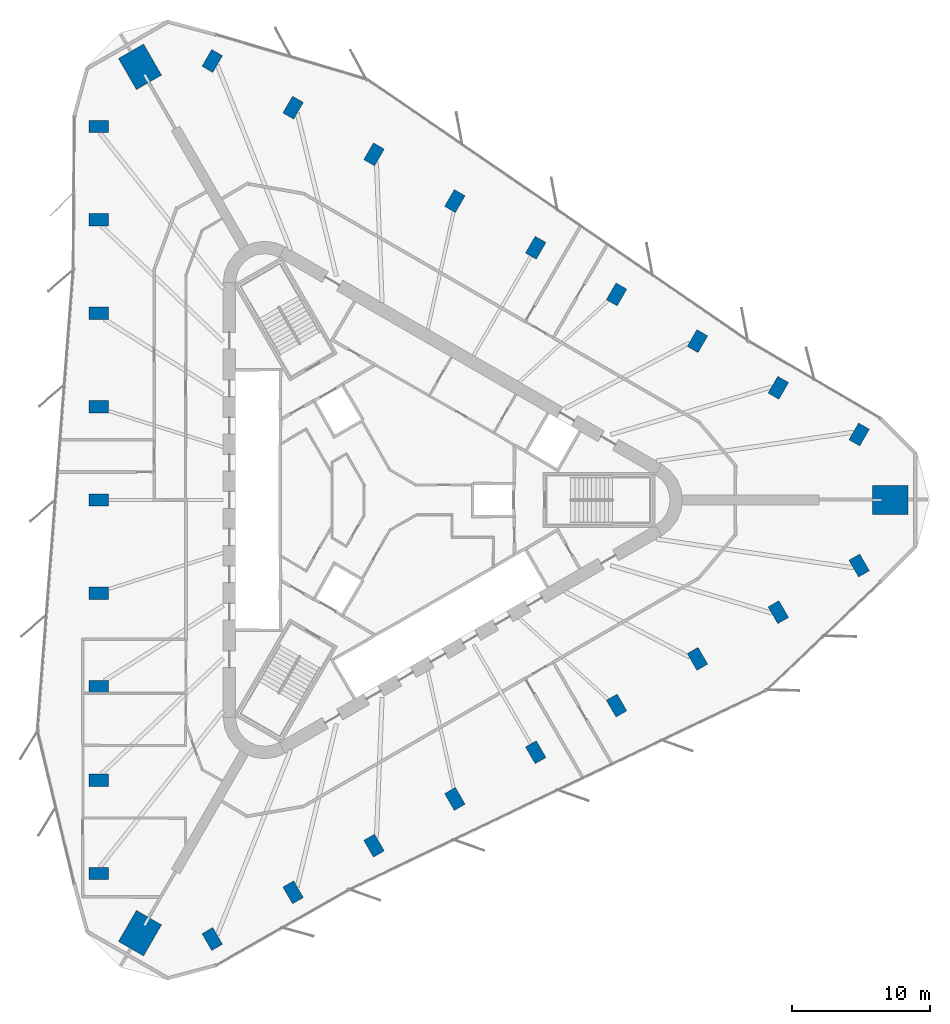
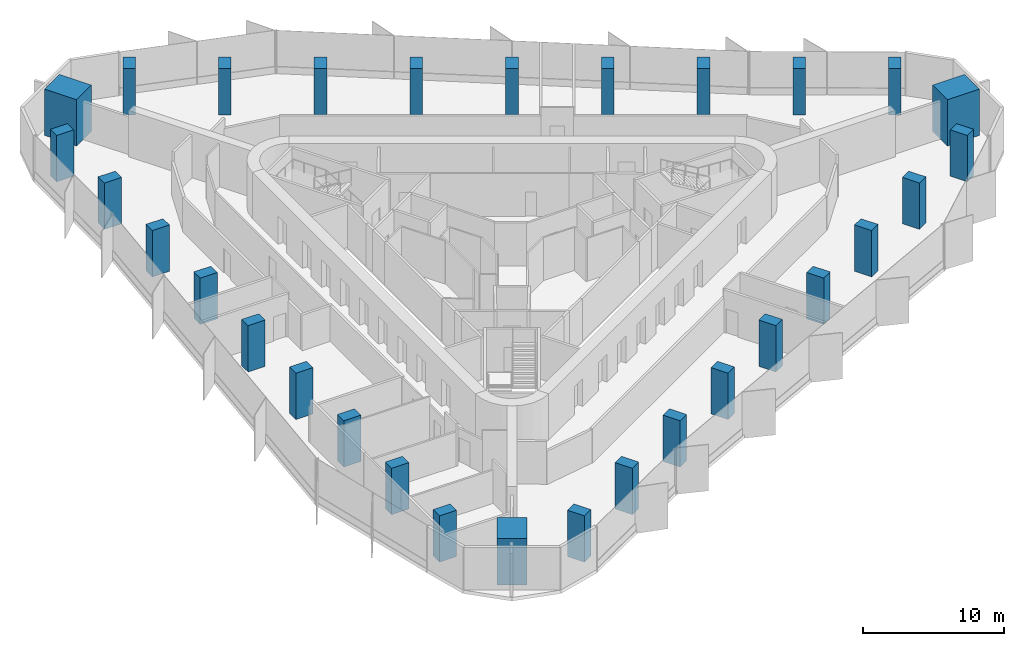
# One storey, part 1 of 13: 30 columns.
"""IFC4 building model written with IfcOpenShell, lengths in metres."""

import ifcopenshell
import ifcopenshell.guid

model = None  # the IFC model being written
_history = None  # IfcOwnerHistory: only IFC2X3 demands one
_inside = {}  # id of a spatial element -> (the spatial element, [elements in it])
_under = {}  # id of a project, library or spatial element -> (it, [spatial elements below it])
_declared = {}  # id of a project -> (the project, [libraries it declares])
_typed = {}  # id of a type object -> (the type object, [elements of that type])
_made_of = {}  # id of a material, layer set ... -> (it, [elements and type objects made of it])


def new_model(schema):
    """Start an empty IFC model of exactly this schema.

    Asked for "IFC4X3", IfcOpenShell would pick the latest addendum, in which some entities
    have other attributes; the version numbers below select the first issue.
    IFC2X3 requires an IfcOwnerHistory on every rooted entity: one is made here for all.
    """
    global model, _history
    if schema == "IFC4X3":
        model = ifcopenshell.file(schema_version=(4, 3, 0, 0))
    else:
        model = ifcopenshell.file(schema=schema)
    _inside.clear()
    _under.clear()
    _declared.clear()
    _typed.clear()
    _made_of.clear()
    _history = None
    if model.schema == "IFC2X3":
        org = make("IfcOrganization", Name="unknown")
        user = make(
            "IfcPersonAndOrganization",
            ThePerson=make("IfcPerson", FamilyName="unknown"),
            TheOrganization=org,
        )
        app = make(
            "IfcApplication",
            ApplicationDeveloper=org,
            Version="unknown",
            ApplicationFullName="unknown",
            ApplicationIdentifier="unknown",
        )
        _history = make(
            "IfcOwnerHistory",
            OwningUser=user,
            OwningApplication=app,
            ChangeAction="ADDED",
            CreationDate=0,
        )
    return model


def make(cls, **values):
    """One entity of the class cls with the attributes given. An attribute that is None is left unset."""
    return model.create_entity(
        cls, **{name: value for name, value in values.items() if value is not None}
    )


def rooted(cls, **values):
    """An entity with a GlobalId (a new one), such as an element, a storey or a relation."""
    return make(cls, GlobalId=ifcopenshell.guid.new(), OwnerHistory=_history, **values)


def si_unit(unit_type, name, prefix=None):
    """IfcSIUnit, for example si_unit("LENGTHUNIT", "METRE", prefix="MILLI")."""
    return make("IfcSIUnit", UnitType=unit_type, Prefix=prefix, Name=name)


def assignment(units):
    """IfcUnitAssignment: the units of a project."""
    return None if units is None else make("IfcUnitAssignment", Units=units)


def point(xyz):
    """IfcCartesianPoint."""
    return None if xyz is None else make("IfcCartesianPoint", Coordinates=xyz)


def direction(xyz):
    """IfcDirection."""
    return None if xyz is None else make("IfcDirection", DirectionRatios=xyz)


def frame(location, z_axis=None, x_axis=None):
    """IfcAxis2Placement3D, a coordinate frame: its origin and axes. An axis left out is left unset."""
    return make(
        "IfcAxis2Placement3D",
        Location=point(location),
        Axis=direction(z_axis),
        RefDirection=direction(x_axis),
    )


def frame_2d(location, x_axis=None):
    """IfcAxis2Placement2D, a coordinate frame in the plane: its origin and x axis."""
    return make(
        "IfcAxis2Placement2D", Location=point(location), RefDirection=direction(x_axis)
    )


def origin():
    """The frame at (0, 0, 0) with its axes left unset."""
    return frame((0.0, 0.0, 0.0))


def origin_2d():
    """The frame at (0, 0) in the plane with its x axis left unset."""
    return frame_2d((0.0, 0.0))


def place(relative_to, where):
    """IfcLocalPlacement: puts the frame where relative to a parent placement (None: the world)."""
    return make(
        "IfcLocalPlacement", PlacementRelTo=relative_to, RelativePlacement=where
    )


def context(
    kind, dimensions, precision=None, world=None, true_north=None, identifier=None
):
    """IfcGeometricRepresentationContext, for example the 3D "Model" context."""
    return make(
        "IfcGeometricRepresentationContext",
        ContextIdentifier=identifier,
        ContextType=kind,
        CoordinateSpaceDimension=dimensions,
        Precision=precision,
        WorldCoordinateSystem=world,
        TrueNorth=true_north,
    )


def subcontext(parent, identifier, kind, view, scale=None):
    """IfcGeometricRepresentationSubContext, for example "Body" below "Model"."""
    return make(
        "IfcGeometricRepresentationSubContext",
        ContextIdentifier=identifier,
        ContextType=kind,
        ParentContext=parent,
        TargetScale=scale,
        TargetView=view,
    )


def project(units=None, contexts=None):
    """IfcProject with its units and contexts."""
    return rooted(
        "IfcProject",
        Name="project",
        RepresentationContexts=contexts,
        UnitsInContext=assignment(units),
    )


def spatial(cls, under=None, at=None, **own):
    """A site, building, storey or space (cls), placed at a placement, below another one or the project."""
    s = rooted(cls, ObjectPlacement=at, **own)
    if under is not None:
        _under.setdefault(under.id(), (under, []))[1].append(s)
    return s


def profile(cls, at=None, kind="AREA", **sizes):
    """A parametric profile (cls). Its sizes go by their IFC names, for example OverallWidth=200.0."""
    return make(cls, ProfileType=kind, Position=at, **sizes)


def rectangle(**sizes):
    """IfcRectangleProfileDef."""
    return profile("IfcRectangleProfileDef", **sizes)


def extrude(swept, where, along, depth):
    """IfcExtrudedAreaSolid: the profile swept, set in the frame where, extruded along a direction by depth."""
    return make(
        "IfcExtrudedAreaSolid",
        SweptArea=swept,
        Position=where,
        ExtrudedDirection=direction(along),
        Depth=depth,
    )


def shape(context_of_items, identifier, shape_type, items):
    """IfcShapeRepresentation: the items that make up one representation, for example the "Body"."""
    return make(
        "IfcShapeRepresentation",
        ContextOfItems=context_of_items,
        RepresentationIdentifier=identifier,
        RepresentationType=shape_type,
        Items=items,
    )


def material(Name=None, Category=None):
    """IfcMaterial."""
    return make("IfcMaterial", Name=Name, Category=Category)


def material_profile(
    of_material, cross_section, Name=None, Category=None, Priority=None
):
    """IfcMaterialProfile: a cross section and its material."""
    return make(
        "IfcMaterialProfile",
        Name=Name,
        Material=of_material,
        Profile=cross_section,
        Priority=Priority,
        Category=Category,
    )


def profile_set(profiles, Name=None, composite=None):
    """IfcMaterialProfileSet."""
    return make(
        "IfcMaterialProfileSet",
        Name=Name,
        MaterialProfiles=profiles,
        CompositeProfile=composite,
    )


def made_of(thing, what):
    """Note that an element or type object is made of a material, layer set ...; save() writes the relation."""
    if what is not None:
        _made_of.setdefault(what.id(), (what, []))[1].append(thing)
    return thing


def type_object(cls, material=None, **own):
    """A type object (cls), such as IfcWallType, which elements share."""
    return made_of(rooted(cls, **own), material)


def element(
    cls,
    number,
    at=None,
    inside=None,
    cuts=None,
    type_object=None,
    material=None,
    context=None,
    identifier="Body",
    shape_type=None,
    held_by="IfcProductDefinitionShape",
    body=None,
    shapes=None,
    **own,
):
    """One element of the class cls, such as IfcWall. Its Tag is "e" and its number.

    at: its placement. inside: the storey or other place that contains it. cuts: it is an
    opening in that element (IfcRelVoidsElement). A single representation is given by context,
    identifier, shape_type and body (its items); several are given by shapes. held_by: the class
    of the entity that holds the representations. save() writes the other relations.
    """
    e = rooted(cls, Tag="e%d" % number, ObjectPlacement=at, **own)
    if body is not None:
        shapes = [shape(context, identifier, shape_type, body)]
    if shapes is not None:
        e.Representation = make(held_by, Representations=shapes)
    if inside is not None:
        _inside.setdefault(inside.id(), (inside, []))[1].append(e)
    if cuts is not None:
        rooted(
            "IfcRelVoidsElement", RelatingBuildingElement=cuts, RelatedOpeningElement=e
        )
    if type_object is not None:
        _typed.setdefault(type_object.id(), (type_object, []))[1].append(e)
    return made_of(e, material)


def aggregate(whole, parts):
    """IfcRelAggregates: a whole, such as a stair, and the parts it consists of."""
    return rooted("IfcRelAggregates", RelatingObject=whole, RelatedObjects=parts)


def save(model, path):
    """Write the relations noted so far, then the file.

    IfcRelAggregates (storeys below a building ...), IfcRelContainedInSpatialStructure (elements
    in a storey), IfcRelDefinesByType, IfcRelAssociatesMaterial and IfcRelDeclares: one each for
    every whole, place, type object, material and project.
    """
    for whole, parts in _under.values():
        aggregate(whole, parts)
    for where, things in _inside.values():
        rooted(
            "IfcRelContainedInSpatialStructure",
            RelatedElements=things,
            RelatingStructure=where,
        )
    for kind, things in _typed.values():
        rooted("IfcRelDefinesByType", RelatedObjects=things, RelatingType=kind)
    for what, things in _made_of.values():
        rooted("IfcRelAssociatesMaterial", RelatedObjects=things, RelatingMaterial=what)
    for by, libraries in _declared.values():
        rooted("IfcRelDeclares", RelatingContext=by, RelatedDefinitions=libraries)
    model.write(path)


model = new_model("IFC4")

# Units and contexts
model_context = context("Model", 3, precision=1e-05, world=origin(), true_north=direction((0.0, 1.0)))
body_context = subcontext(model_context, "Body", "Model", "MODEL_VIEW")
ifc_project = project(units=[si_unit("LENGTHUNIT", "METRE"), si_unit("AREAUNIT", "SQUARE_METRE"), si_unit("VOLUMEUNIT", "CUBIC_METRE"), si_unit("PLANEANGLEUNIT", "RADIAN"), si_unit("MASSUNIT", "GRAM", prefix="KILO")], contexts=[model_context])

# Site, building, storey
site_placement = place(None, origin())
site = spatial("IfcSite", under=ifc_project, at=site_placement, CompositionType="ELEMENT")
building_placement = place(site_placement, origin())
building = spatial("IfcBuilding", under=site, at=building_placement, Name="Tanit Gate Tower", CompositionType="ELEMENT")
storey_placement = place(building_placement, frame((0.0, 0.0, 265.199951171875)))
storey = spatial("IfcBuildingStorey", under=building, at=storey_placement, Name="L60", CompositionType="ELEMENT", Elevation=265.199951171875)

# Columns
ifc_material_1 = material(Name="Concrete C60/75", Category="concrete")
ifc_material_profile_1 = material_profile(ifc_material_1, rectangle(XDim=2.60009765625, YDim=2.10009765625, at=origin_2d()), Name="RC 2600x2100")
ifc_profile_set_1 = profile_set([ifc_material_profile_1], Name="Concrete C60/75")
column_type_1 = type_object("IfcColumnType", Name="MEGA COLUMN 2600x2100 C60/75", PredefinedType="COLUMN", material=ifc_profile_set_1)
for number, where, z_axis, x_axis, name in (
    (1, (36.270263671875, 0.0, 0.0), (0.0, 0.0, 1.0), (1.0, 0.0, 0.0), "MEGA COLUMN"),
    (2, (-18.135009765625, 31.410888671875, 0.0), (0.0, 0.0, 1.0), (-0.5, 0.866025403784, 0.0), "MEGA COLUMN"),
    (3, (-18.135009765625, -31.410888671875, 0.0), (0.0, 0.0, 1.0), (-0.5, -0.866025403784, 0.0), "MEGA COLUMN"),
):
    element("IfcColumn", number, at=place(storey_placement, frame(where, z_axis=z_axis, x_axis=x_axis)), inside=storey, type_object=column_type_1, Name=name, PredefinedType="COLUMN", context=body_context, shape_type="SweptSolid", body=[
        extrude(rectangle(XDim=2.60009765625, YDim=2.10009765625, at=origin_2d()), origin(), (0.0, 0.0, 1.0), 4.0),
    ])
ifc_material_2 = material(Name="Concrete C50/60", Category="concrete")
ifc_material_profile_2 = material_profile(ifc_material_2, rectangle(XDim=1.39990234375, YDim=0.89990234375, at=origin_2d()), Name="RC 1400x900")
ifc_profile_set_2 = profile_set([ifc_material_profile_2], Name="Concrete C50/60")
column_type_2 = type_object("IfcColumnType", Name="PERIMETER COLUMN 1400x900 C50/60", PredefinedType="COLUMN", material=ifc_profile_set_2)
for number, where, z_axis, x_axis, name in (
    (4, (-21.121337890625, 27.083984375, 0.0), (0.0, 0.0, 1.0), (-1.0, 0.0, 0.0), "PERIMETER COLUMN"),
    (5, (-21.121337890625, 20.31298828125, 0.0), (0.0, 0.0, 1.0), (-1.0, 0.0, 0.0), "PERIMETER COLUMN"),
    (6, (-21.121337890625, 13.5419921875, 0.0), (0.0, 0.0, 1.0), (-1.0, 0.0, 0.0), "PERIMETER COLUMN"),
    (7, (-21.121337890625, 6.77099609375, 0.0), (0.0, 0.0, 1.0), (-1.0, 0.0, 0.0), "PERIMETER COLUMN"),
    (8, (-21.121337890625, 0.0, 0.0), (0.0, 0.0, 1.0), (-1.0, 0.0, 0.0), "PERIMETER COLUMN"),
    (9, (-21.121337890625, -6.77099609375, 0.0), (0.0, 0.0, 1.0), (-1.0, 0.0, 0.0), "PERIMETER COLUMN"),
    (10, (-21.121337890625, -13.5419921875, 0.0), (0.0, 0.0, 1.0), (-1.0, 0.0, 0.0), "PERIMETER COLUMN"),
    (11, (-21.121337890625, -20.31298828125, 0.0), (0.0, 0.0, 1.0), (-1.0, 0.0, 0.0), "PERIMETER COLUMN"),
    (12, (-21.121337890625, -27.083984375, 0.0), (0.0, 0.0, 1.0), (-1.0, 0.0, 0.0), "PERIMETER COLUMN"),
    (13, (34.01611328125, 4.749755859375, 0.0), (0.0, 0.0, 1.0), (0.5, 0.866025403784, 0.0), "PERIMETER COLUMN"),
    (14, (28.152099609375, 8.13525390625, 0.0), (0.0, 0.0, 1.0), (0.5, 0.866025403784, 0.0), "PERIMETER COLUMN"),
    (15, (22.288330078125, 11.520751953125, 0.0), (0.0, 0.0, 1.0), (0.5, 0.866025403784, 0.0), "PERIMETER COLUMN"),
    (16, (16.424560546875, 14.90625, 0.0), (0.0, 0.0, 1.0), (0.5, 0.866025403784, 0.0), "PERIMETER COLUMN"),
    (17, (10.560791015625, 18.291748046875, 0.0), (0.0, 0.0, 1.0), (0.5, 0.866025403784, 0.0), "PERIMETER COLUMN"),
    (18, (4.697021484375, 21.67724609375, 0.0), (0.0, 0.0, 1.0), (0.5, 0.866025403784, 0.0), "PERIMETER COLUMN"),
    (19, (-1.1669921875, 25.062744140625, 0.0), (0.0, 0.0, 1.0), (0.5, 0.866025403784, 0.0), "PERIMETER COLUMN"),
    (20, (-7.03076171875, 28.4482421875, 0.0), (0.0, 0.0, 1.0), (0.5, 0.866025403784, 0.0), "PERIMETER COLUMN"),
    (21, (-12.894775390625, 31.83349609375, 0.0), (0.0, 0.0, 1.0), (0.5, 0.866025403784, 0.0), "PERIMETER COLUMN"),
    (22, (-12.894775390625, -31.83349609375, 0.0), (0.0, 0.0, 1.0), (0.5, -0.866025403784, 0.0), "PERIMETER COLUMN"),
    (23, (-7.03076171875, -28.4482421875, 0.0), (0.0, 0.0, 1.0), (0.5, -0.866025403784, 0.0), "PERIMETER COLUMN"),
    (24, (-1.1669921875, -25.062744140625, 0.0), (0.0, 0.0, 1.0), (0.5, -0.866025403784, 0.0), "PERIMETER COLUMN"),
    (25, (4.697021484375, -21.67724609375, 0.0), (0.0, 0.0, 1.0), (0.5, -0.866025403784, 0.0), "PERIMETER COLUMN"),
    (26, (10.560791015625, -18.291748046875, 0.0), (0.0, 0.0, 1.0), (0.5, -0.866025403784, 0.0), "PERIMETER COLUMN"),
    (27, (16.424560546875, -14.90625, 0.0), (0.0, 0.0, 1.0), (0.5, -0.866025403784, 0.0), "PERIMETER COLUMN"),
    (28, (22.288330078125, -11.520751953125, 0.0), (0.0, 0.0, 1.0), (0.5, -0.866025403784, 0.0), "PERIMETER COLUMN"),
    (29, (28.152099609375, -8.13525390625, 0.0), (0.0, 0.0, 1.0), (0.5, -0.866025403784, 0.0), "PERIMETER COLUMN"),
    (30, (34.01611328125, -4.749755859375, 0.0), (0.0, 0.0, 1.0), (0.5, -0.866025403784, 0.0), "PERIMETER COLUMN"),
):
    element("IfcColumn", number, at=place(storey_placement, frame(where, z_axis=z_axis, x_axis=x_axis)), inside=storey, type_object=column_type_2, Name=name, PredefinedType="COLUMN", context=body_context, shape_type="SweptSolid", body=[
        extrude(rectangle(XDim=1.39990234375, YDim=0.89990234375, at=origin_2d()), origin(), (0.0, 0.0, 1.0), 4.0),
    ])

save(model, "model.ifc")
